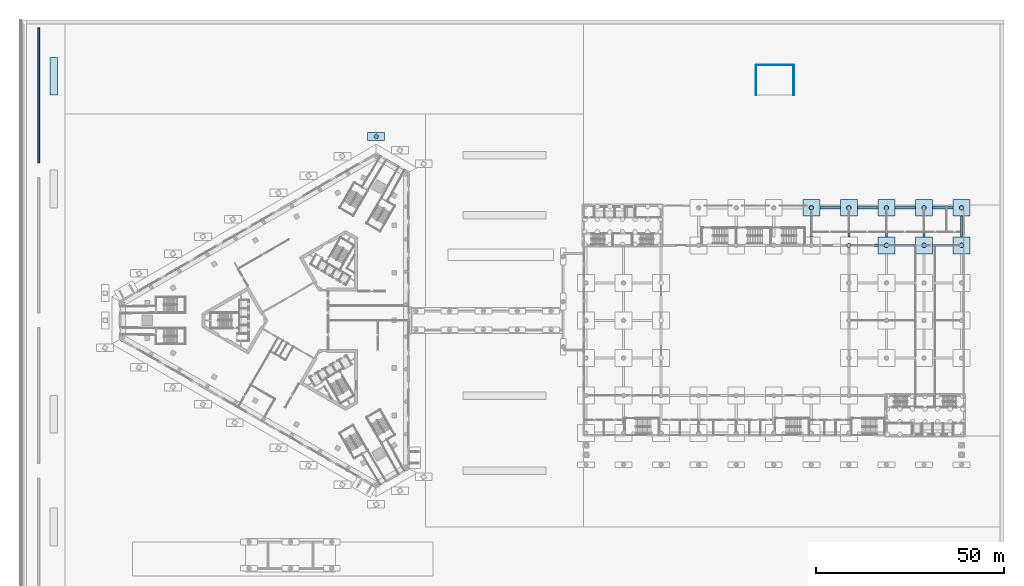
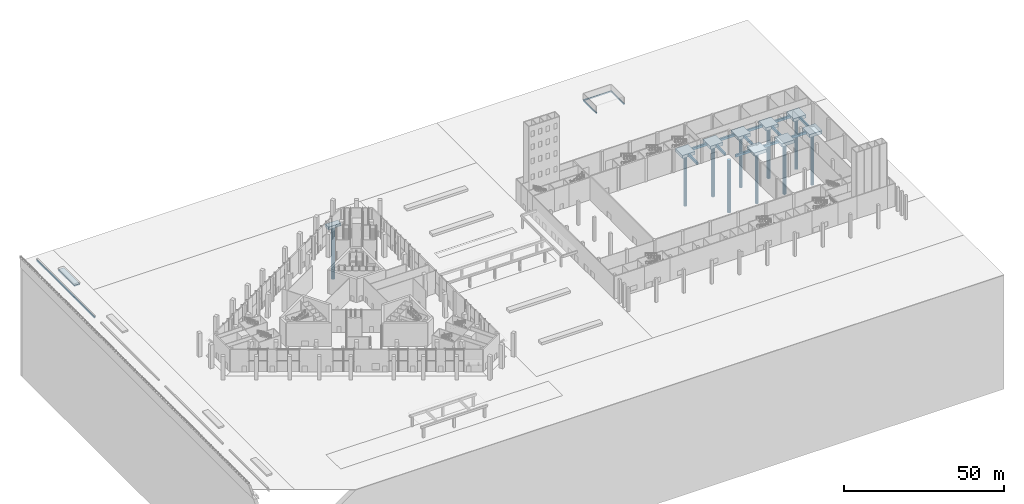
# One storey, part 4 of 63: 26 footings, 10 piles.
"""IFC4 building model written with IfcOpenShell, lengths in metres."""

from ifc_helpers import new_model, si_unit, direction, frame, origin, origin_2d, place, context, subcontext, project, spatial, polyline, rectangle, circle, outline, extrude, material, material_profile, profile_set, type_object, element, save


model = new_model("IFC4")

# Units and contexts
model_context = context("Model", 3, precision=1e-05, world=origin(), true_north=direction((0.0, 1.0)))
body_context = subcontext(model_context, "Body", "Model", "MODEL_VIEW")
ifc_project = project(units=[si_unit("LENGTHUNIT", "METRE"), si_unit("AREAUNIT", "SQUARE_METRE"), si_unit("VOLUMEUNIT", "CUBIC_METRE"), si_unit("PLANEANGLEUNIT", "RADIAN"), si_unit("MASSUNIT", "GRAM", prefix="KILO")], contexts=[model_context])

# Site, building, storey
site_placement = place(None, origin())
site = spatial("IfcSite", under=ifc_project, at=site_placement, CompositionType="ELEMENT")
building_placement = place(site_placement, origin())
building = spatial("IfcBuilding", under=site, at=building_placement, Name="Jabali Bay Hotel Tower and Convention Centre", CompositionType="ELEMENT")
storey_placement = place(building_placement, origin())
storey = spatial("IfcBuildingStorey", under=building, at=storey_placement, Name="L00", CompositionType="ELEMENT", Elevation=0.0)

# Piles
ifc_material_1 = material(Name="Concrete C45", Category="concrete")
ifc_material_profile_1 = material_profile(ifc_material_1, circle(Radius=0.60009765625, at=origin_2d()), Name="D1200")
ifc_profile_set_1 = profile_set([ifc_material_profile_1], Name="Concrete C45")
pile_type_1 = type_object("IfcPileType", Name="CC Bored Pile D1200", PredefinedType="BORED", material=ifc_profile_set_1)
for number, where, z_axis, x_axis, name in (
    (1, (210.699951171875, 110.0, -2.300048828125), (0.0, 0.0, -1.0), (1.0, 0.0, 0.0), "CC pile 31"),
    (2, (220.699951171875, 100.0, -2.300048828125), (0.0, 0.0, -1.0), (1.0, 0.0, 0.0), "CC pile 37"),
    (3, (220.699951171875, 110.0, -2.300048828125), (0.0, 0.0, -1.0), (1.0, 0.0, 0.0), "CC pile 38"),
    (4, (230.699951171875, 100.0, -2.300048828125), (0.0, 0.0, -1.0), (1.0, 0.0, 0.0), "CC pile 42"),
    (5, (230.699951171875, 110.0, -2.300048828125), (0.0, 0.0, -1.0), (1.0, 0.0, 0.0), "CC pile 43"),
    (6, (240.699951171875, 100.0, -2.300048828125), (0.0, 0.0, -1.0), (1.0, 0.0, 0.0), "CC pile 47"),
    (7, (240.699951171875, 110.0, -2.300048828125), (0.0, 0.0, -1.0), (1.0, 0.0, 0.0), "CC pile 48"),
    (8, (250.699951171875, 100.0, -2.300048828125), (0.0, 0.0, -1.0), (1.0, 0.0, 0.0), "CC pile 52"),
    (9, (250.699951171875, 110.0, -2.300048828125), (0.0, 0.0, -1.0), (1.0, 0.0, 0.0), "CC pile 53"),
):
    element("IfcPile", number, at=place(storey_placement, frame(where, z_axis=z_axis, x_axis=x_axis)), inside=storey, type_object=pile_type_1, Name=name, PredefinedType="BORED", context=body_context, shape_type="SweptSolid", body=[
        extrude(circle(Radius=0.60009765625, at=origin_2d()), origin(), (0.0, 0.0, 1.0), 20.0),
    ])

# Footings
ifc_material_profile_2 = material_profile(ifc_material_1, rectangle(XDim=0.60009765625, YDim=0.89990234375, at=origin_2d()), Name="RC 600x900")
ifc_profile_set_2 = profile_set([ifc_material_profile_2], Name="Concrete C45")
footing_type_1 = type_object("IfcFootingType", Name="CC Ground Beam 600x900", PredefinedType="FOOTING_BEAM", material=ifc_profile_set_2)
for number, where, z_axis, x_axis, name in (
    (10, (210.699951171875, 102.25, -1.64990234375), (0.0, 1.0, 0.0), (-1.0, 0.0, 0.0), "CC ground beam CC7/F"),
    (11, (212.949951171875, 110.0, -1.64990234375), (1.0, 0.0, 0.0), (0.0, 1.0, 0.0), "CC ground beam CC7/G"),
    (12, (222.949951171875, 100.0, -1.64990234375), (1.0, 0.0, 0.0), (0.0, 1.0, 0.0), "CC ground beam CC8/F"),
    (13, (220.699951171875, 102.25, -1.64990234375), (0.0, 1.0, 0.0), (-1.0, 0.0, 0.0), "CC ground beam CC8/F"),
    (14, (222.949951171875, 110.0, -1.64990234375), (1.0, 0.0, 0.0), (0.0, 1.0, 0.0), "CC ground beam CC8/G"),
    (15, (232.949951171875, 100.0, -1.64990234375), (1.0, 0.0, 0.0), (0.0, 1.0, 0.0), "CC ground beam CC9/F"),
    (16, (230.699951171875, 102.25, -1.64990234375), (0.0, 1.0, 0.0), (-1.0, 0.0, 0.0), "CC ground beam CC9/F"),
    (17, (232.949951171875, 110.0, -1.64990234375), (1.0, 0.0, 0.0), (0.0, 1.0, 0.0), "CC ground beam CC9/G"),
    (18, (242.949951171875, 100.0, -1.64990234375), (1.0, 0.0, 0.0), (0.0, 1.0, 0.0), "CC ground beam CC10/F"),
    (19, (240.699951171875, 102.25, -1.64990234375), (0.0, 1.0, 0.0), (-1.0, 0.0, 0.0), "CC ground beam CC10/F"),
    (20, (242.949951171875, 110.0, -1.64990234375), (1.0, 0.0, 0.0), (0.0, 1.0, 0.0), "CC ground beam CC10/G"),
    (21, (250.699951171875, 102.25, -1.64990234375), (0.0, 1.0, 0.0), (-1.0, 0.0, 0.0), "CC ground beam CC11/F"),
):
    element("IfcFooting", number, at=place(storey_placement, frame(where, z_axis=z_axis, x_axis=x_axis)), inside=storey, type_object=footing_type_1, Name=name, PredefinedType="FOOTING_BEAM", context=body_context, shape_type="SweptSolid", body=[
        extrude(rectangle(XDim=0.60009765625, YDim=0.89990234375, at=origin_2d()), origin(), (0.0, 0.0, 1.0), 5.5),
    ])
footing_type_2 = type_object("IfcFootingType", Name="CC Pile Cap 4500x4500x1200", PredefinedType="PILE_CAP", material=ifc_material_1)
footing_1_placement = place(storey_placement, frame((0.0, 0.0, -2.39990234375)))
element("IfcFooting", 22, at=footing_1_placement, inside=storey, type_object=footing_type_2, Name="CC pile cap CC7/G", PredefinedType="PILE_CAP", context=body_context, shape_type="SweptSolid", body=[
    extrude(outline(polyline([(208.449951171875, 107.75), (212.949951171875, 107.75), (212.949951171875, 112.25), (208.449951171875, 112.25), (208.449951171875, 107.75)])), origin(), (0.0, 0.0, 1.0), 1.199951171875),
])
footing_2_placement = place(storey_placement, frame((0.0, 0.0, -2.39990234375)))
element("IfcFooting", 23, at=footing_2_placement, inside=storey, type_object=footing_type_2, Name="CC pile cap CC8/G", PredefinedType="PILE_CAP", context=body_context, shape_type="SweptSolid", body=[
    extrude(outline(polyline([(218.449951171875, 107.75), (222.949951171875, 107.75), (222.949951171875, 112.25), (218.449951171875, 112.25), (218.449951171875, 107.75)])), origin(), (0.0, 0.0, 1.0), 1.199951171875),
])
footing_3_placement = place(storey_placement, frame((0.0, 0.0, -2.39990234375)))
element("IfcFooting", 24, at=footing_3_placement, inside=storey, type_object=footing_type_2, Name="CC pile cap CC9/F", PredefinedType="PILE_CAP", context=body_context, shape_type="SweptSolid", body=[
    extrude(outline(polyline([(228.449951171875, 97.75), (232.949951171875, 97.75), (232.949951171875, 102.25), (228.449951171875, 102.25), (228.449951171875, 97.75)])), origin(), (0.0, 0.0, 1.0), 1.199951171875),
])
footing_4_placement = place(storey_placement, frame((0.0, 0.0, -2.39990234375)))
element("IfcFooting", 25, at=footing_4_placement, inside=storey, type_object=footing_type_2, Name="CC pile cap CC9/G", PredefinedType="PILE_CAP", context=body_context, shape_type="SweptSolid", body=[
    extrude(outline(polyline([(228.449951171875, 107.75), (232.949951171875, 107.75), (232.949951171875, 112.25), (228.449951171875, 112.25), (228.449951171875, 107.75)])), origin(), (0.0, 0.0, 1.0), 1.199951171875),
])
footing_5_placement = place(storey_placement, frame((0.0, 0.0, -2.39990234375)))
element("IfcFooting", 26, at=footing_5_placement, inside=storey, type_object=footing_type_2, Name="CC pile cap CC10/F", PredefinedType="PILE_CAP", context=body_context, shape_type="SweptSolid", body=[
    extrude(outline(polyline([(238.449951171875, 97.75), (242.949951171875, 97.75), (242.949951171875, 102.25), (238.449951171875, 102.25), (238.449951171875, 97.75)])), origin(), (0.0, 0.0, 1.0), 1.199951171875),
])
footing_6_placement = place(storey_placement, frame((0.0, 0.0, -2.39990234375)))
element("IfcFooting", 27, at=footing_6_placement, inside=storey, type_object=footing_type_2, Name="CC pile cap CC10/G", PredefinedType="PILE_CAP", context=body_context, shape_type="SweptSolid", body=[
    extrude(outline(polyline([(238.449951171875, 107.75), (242.949951171875, 107.75), (242.949951171875, 112.25), (238.449951171875, 112.25), (238.449951171875, 107.75)])), origin(), (0.0, 0.0, 1.0), 1.199951171875),
])
footing_7_placement = place(storey_placement, frame((0.0, 0.0, -2.39990234375)))
element("IfcFooting", 28, at=footing_7_placement, inside=storey, type_object=footing_type_2, Name="CC pile cap CC11/F", PredefinedType="PILE_CAP", context=body_context, shape_type="SweptSolid", body=[
    extrude(outline(polyline([(248.449951171875, 97.75), (252.949951171875, 97.75), (252.949951171875, 102.25), (248.449951171875, 102.25), (248.449951171875, 97.75)])), origin(), (0.0, 0.0, 1.0), 1.199951171875),
])
footing_8_placement = place(storey_placement, frame((0.0, 0.0, -2.39990234375)))
element("IfcFooting", 29, at=footing_8_placement, inside=storey, type_object=footing_type_2, Name="CC pile cap CC11/G", PredefinedType="PILE_CAP", context=body_context, shape_type="SweptSolid", body=[
    extrude(outline(polyline([(248.449951171875, 107.75), (252.949951171875, 107.75), (252.949951171875, 112.25), (248.449951171875, 112.25), (248.449951171875, 107.75)])), origin(), (0.0, 0.0, 1.0), 1.199951171875),
])
footing_type_3 = type_object("IfcFootingType", Name="SI Arcade Pad Cap 4500x2000x1000", PredefinedType="PILE_CAP", material=ifc_material_1)
footing_9_placement = place(storey_placement, frame((0.0, 0.0, -1.199951171875)))
element("IfcFooting", 30, at=footing_9_placement, inside=storey, type_object=footing_type_3, Name="SI arcade pier pad cap 2", PredefinedType="PILE_CAP", context=body_context, shape_type="SweptSolid", body=[
    extrude(outline(polyline([(92.58984375, 127.982177734375), (97.08984375, 127.982177734375), (97.08984375, 129.982177734375), (92.58984375, 129.982177734375), (92.58984375, 127.982177734375)])), origin(), (0.0, 0.0, 1.0), 1.0),
])

# Pile
ifc_material_profile_3 = material_profile(ifc_material_1, circle(Radius=0.60009765625, at=origin_2d()), Name="D1200")
ifc_profile_set_3 = profile_set([ifc_material_profile_3], Name="Concrete C45")
pile_type_2 = type_object("IfcPileType", Name="SI Bored Pile D1200", PredefinedType="BORED", material=ifc_profile_set_3)
pile_placement = place(storey_placement, frame((94.83984375, 128.982177734375, -1.10009765625), z_axis=(0.0, 0.0, -1.0), x_axis=(1.0, 0.0, 0.0)))
element("IfcPile", 31, at=pile_placement, inside=storey, type_object=pile_type_2, Name="SI pile 18", PredefinedType="BORED", context=body_context, shape_type="SweptSolid", body=[
    extrude(circle(Radius=0.60009765625, at=origin_2d()), origin(), (0.0, 0.0, 1.0), 20.0),
])

# Footings
ifc_material_2 = material(Name="Concrete C30", Category="concrete")
footing_type_4 = type_object("IfcFootingType", Name="SI Low Wall Footing 500", PredefinedType="STRIP_FOOTING", material=ifc_material_2)
footing_10_placement = place(storey_placement, frame((0.0, 0.0, -0.5)))
element("IfcFooting", 32, at=footing_10_placement, inside=storey, type_object=footing_type_4, Name="Promenade planter footing 4", PredefinedType="STRIP_FOOTING", context=body_context, shape_type="SweptSolid", body=[
    extrude(outline(polyline([(8.0, 140.0), (8.0, 150.0), (10.0, 150.0), (10.0, 140.0), (8.0, 140.0)])), origin(), (0.0, 0.0, 1.0), 0.5),
])
footing_11_placement = place(storey_placement, frame((0.0, 0.0, -0.5)))
element("IfcFooting", 33, at=footing_11_placement, inside=storey, type_object=footing_type_4, Name="Promenade seat wall footing 4", PredefinedType="STRIP_FOOTING", context=body_context, shape_type="SweptSolid", body=[
    extrude(outline(polyline([(4.77490234375, 122.0), (4.77490234375, 158.0), (5.22509765625, 158.0), (5.22509765625, 122.0), (4.77490234375, 122.0)])), origin(), (0.0, 0.0, 1.0), 0.5),
])
footing_12_placement = place(storey_placement, frame((0.0, 0.0, -0.5)))
element("IfcFooting", 34, at=footing_12_placement, inside=storey, type_object=footing_type_4, Name="Refuse enclosure footing 1", PredefinedType="STRIP_FOOTING", context=body_context, shape_type="SweptSolid", body=[
    extrude(outline(polyline([(196.0, 148.10009765625), (206.0, 148.10009765625), (206.0, 147.89990234375), (196.0, 147.89990234375), (196.0, 148.10009765625)])), origin(), (0.0, 0.0, 1.0), 0.5),
])
footing_13_placement = place(storey_placement, frame((0.0, 0.0, -0.5)))
element("IfcFooting", 35, at=footing_13_placement, inside=storey, type_object=footing_type_4, Name="Refuse enclosure footing 2", PredefinedType="STRIP_FOOTING", context=body_context, shape_type="SweptSolid", body=[
    extrude(outline(polyline([(195.89990234375, 140.0), (195.89990234375, 148.0), (196.10009765625, 148.0), (196.10009765625, 140.0), (195.89990234375, 140.0)])), origin(), (0.0, 0.0, 1.0), 0.5),
])
footing_14_placement = place(storey_placement, frame((0.0, 0.0, -0.5)))
element("IfcFooting", 36, at=footing_14_placement, inside=storey, type_object=footing_type_4, Name="Refuse enclosure footing 3", PredefinedType="STRIP_FOOTING", context=body_context, shape_type="SweptSolid", body=[
    extrude(outline(polyline([(205.89990234375, 140.0), (205.89990234375, 148.0), (206.10009765625, 148.0), (206.10009765625, 140.0), (205.89990234375, 140.0)])), origin(), (0.0, 0.0, 1.0), 0.5),
])

save(model, "model.ifc")
